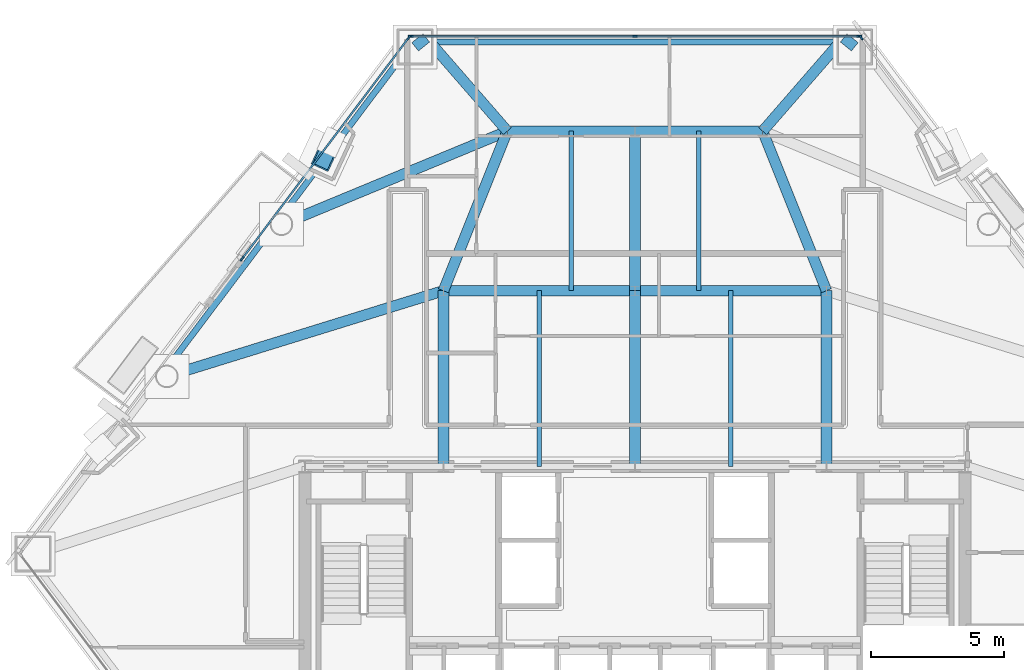
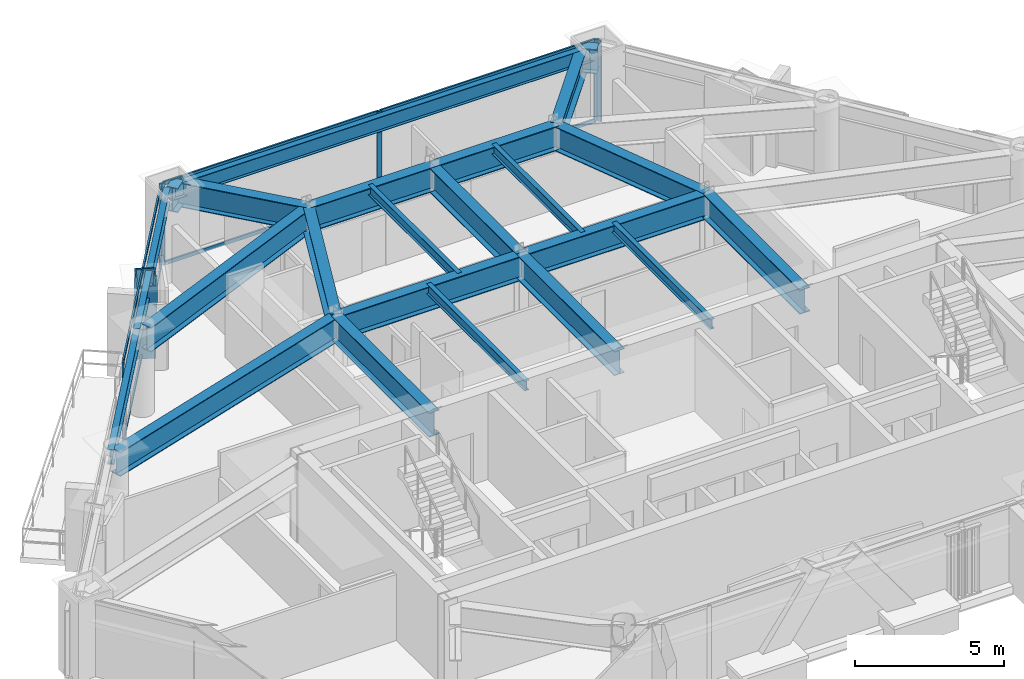
# One storey, part 3 of 11: 23 beams, 13 members, 3 elements without a shape of their own.
"""IFC4 building model written with IfcOpenShell, lengths in metres."""

from ifc_helpers import new_model, si_unit, direction, frame, origin, origin_2d, place, context, subcontext, project, spatial, rectangle, hollow_rectangle, i_section, extrude, material, layer, layer_set, material_profile, profile_set, type_object, element, aggregate, save


model = new_model("IFC4")

# Units and contexts
model_context = context("Model", 3, precision=1e-05, world=origin(), true_north=direction((0.0, 1.0)))
body_context = subcontext(model_context, "Body", "Model", "MODEL_VIEW")
ifc_project = project(units=[si_unit("LENGTHUNIT", "METRE"), si_unit("AREAUNIT", "SQUARE_METRE"), si_unit("VOLUMEUNIT", "CUBIC_METRE"), si_unit("PLANEANGLEUNIT", "RADIAN"), si_unit("MASSUNIT", "GRAM", prefix="KILO")], contexts=[model_context])

# Site, building, storey
site_placement = place(None, origin())
site = spatial("IfcSite", under=ifc_project, at=site_placement, CompositionType="ELEMENT")
building_placement = place(site_placement, origin())
building = spatial("IfcBuilding", under=site, at=building_placement, Name="Talgorran Terracotta Tower", CompositionType="ELEMENT")
storey_placement = place(building_placement, frame((0.0, 0.0, 35.10009765625)))
storey = spatial("IfcBuildingStorey", under=building, at=storey_placement, Name="L08", CompositionType="ELEMENT", Elevation=35.10009765625)

# Beams
ifc_material_1 = material(Name="Steel Grade 350 (350L0)", Category="steel")
ifc_material_profile_1 = material_profile(ifc_material_1, i_section(OverallWidth=0.39990234375, OverallDepth=1.0, WebThickness=0.01611328125, FlangeThickness=0.031005859375, at=origin_2d()), Name="1000WB296")
ifc_profile_set_1 = profile_set([ifc_material_profile_1], Name="Steel Grade 350 (350L0)")
beam_type_1 = type_object("IfcBeamType", Name="BM_1000WB296", PredefinedType="BEAM", material=ifc_profile_set_1)
beam_1_placement = place(storey_placement, frame((8.26318359375, 11.5703125, 2.849853515625), z_axis=(-0.778276150584, 0.627922155551, 0.0), x_axis=(-0.627922155551, -0.778276150584, 0.0)))
element("IfcBeam", 1, at=beam_1_placement, inside=storey, type_object=beam_type_1, Name="L08 Perimeter Step Girder 9A", PredefinedType="BEAM", context=body_context, shape_type="SweptSolid", body=[
    extrude(i_section(OverallWidth=0.39990234375, OverallDepth=1.0, WebThickness=0.01611328125, FlangeThickness=0.031005859375, at=origin_2d()), origin(), (0.0, 0.0, 1.0), 0.5341796875),
])
beam_2_placement = place(storey_placement, frame((7.847412109375, 11.90576171875, 2.849853515625), z_axis=(-0.656030362772, -0.75473449843, 0.0), x_axis=(0.75473449843, -0.656030362772, 0.0)))
element("IfcBeam", 2, at=beam_2_placement, inside=storey, type_object=beam_type_1, Name="L08 Perimeter Step Girder 9B", PredefinedType="BEAM", context=body_context, shape_type="SweptSolid", body=[
    extrude(i_section(OverallWidth=0.39990234375, OverallDepth=1.0, WebThickness=0.01611328125, FlangeThickness=0.031005859375, at=origin_2d()), origin(), (0.0, 0.0, 1.0), 4.645263671875),
])
beam_3_placement = place(storey_placement, frame((-8.26318359375, 11.5703125, 2.849853515625), z_axis=(0.778276150584, 0.627922155551, 0.0), x_axis=(-0.627922155551, 0.778276150584, 0.0)))
element("IfcBeam", 3, at=beam_3_placement, inside=storey, type_object=beam_type_1, Name="L08 Perimeter Step Girder 10A", PredefinedType="BEAM", context=body_context, shape_type="SweptSolid", body=[
    extrude(i_section(OverallWidth=0.39990234375, OverallDepth=1.0, WebThickness=0.01611328125, FlangeThickness=0.031005859375, at=origin_2d()), origin(), (0.0, 0.0, 1.0), 0.5341796875),
])
beam_4_placement = place(storey_placement, frame((-7.847412109375, 11.90576171875, 2.849853515625), z_axis=(0.656030362772, -0.75473449843, 0.0), x_axis=(0.75473449843, 0.656030362772, 0.0)))
element("IfcBeam", 4, at=beam_4_placement, inside=storey, type_object=beam_type_1, Name="L08 Perimeter Step Girder 10B", PredefinedType="BEAM", context=body_context, shape_type="SweptSolid", body=[
    extrude(i_section(OverallWidth=0.39990234375, OverallDepth=1.0, WebThickness=0.01611328125, FlangeThickness=0.031005859375, at=origin_2d()), origin(), (0.0, 0.0, 1.0), 4.645263671875),
])
for number, where, z_axis, x_axis, name in (
    (5, (-7.199951171875, -4.199951171875, 2.849853515625), (0.0, 1.0, 0.0), (-1.0, 0.0, 0.0), "L08 Floor Girder G01"),
    (6, (0.0, -4.199951171875, 2.849853515625), (0.0, 1.0, 0.0), (-1.0, 0.0, 0.0), "L08 Floor Girder G02"),
    (7, (7.199951171875, -4.199951171875, 2.849853515625), (0.0, 1.0, 0.0), (-1.0, 0.0, 0.0), "L08 Floor Girder G03"),
):
    element("IfcBeam", number, at=place(storey_placement, frame(where, z_axis=z_axis, x_axis=x_axis)), inside=storey, type_object=beam_type_1, Name=name, PredefinedType="BEAM", context=body_context, shape_type="SweptSolid", body=[
        extrude(i_section(OverallWidth=0.39990234375, OverallDepth=1.0, WebThickness=0.01611328125, FlangeThickness=0.031005859375, at=origin_2d()), origin(), (0.0, 0.0, 1.0), 6.599853515625),
    ])
for number, where, z_axis, x_axis, name in (
    (8, (-7.199951171875, 2.39990234375, 2.849853515625), (1.0, 0.0, 0.0), (0.0, 1.0, 0.0), "L08 Floor Girder G04"),
    (9, (0.0, 2.39990234375, 2.849853515625), (1.0, 0.0, 0.0), (0.0, 1.0, 0.0), "L08 Floor Girder G05"),
):
    element("IfcBeam", number, at=place(storey_placement, frame(where, z_axis=z_axis, x_axis=x_axis)), inside=storey, type_object=beam_type_1, Name=name, PredefinedType="BEAM", context=body_context, shape_type="SweptSolid", body=[
        extrude(i_section(OverallWidth=0.39990234375, OverallDepth=1.0, WebThickness=0.01611328125, FlangeThickness=0.031005859375, at=origin_2d()), origin(), (0.0, 0.0, 1.0), 7.199951171875),
    ])
beam_5_placement = place(storey_placement, frame((-7.199951171875, 2.39990234375, 2.849853515625), z_axis=(-0.955282572472, -0.295694448259, 0.0), x_axis=(0.295694448259, -0.955282572472, 0.0)))
element("IfcBeam", 10, at=beam_5_placement, inside=storey, type_object=beam_type_1, Name="L08 Floor Girder G06", PredefinedType="BEAM", context=body_context, shape_type="SweptSolid", body=[
    extrude(i_section(OverallWidth=0.39990234375, OverallDepth=1.0, WebThickness=0.01611328125, FlangeThickness=0.031005859375, at=origin_2d()), origin(), (0.0, 0.0, 1.0), 10.88623046875),
])
beam_6_placement = place(storey_placement, frame((-7.199951171875, 2.39990234375, 2.849853515625), z_axis=(0.371377648723, 0.928481901832, 0.0), x_axis=(-0.928481901832, 0.371377648723, 0.0)))
element("IfcBeam", 11, at=beam_6_placement, inside=storey, type_object=beam_type_1, Name="L08 Floor Girder G08", PredefinedType="BEAM", context=body_context, shape_type="SweptSolid", body=[
    extrude(i_section(OverallWidth=0.39990234375, OverallDepth=1.0, WebThickness=0.01611328125, FlangeThickness=0.031005859375, at=origin_2d()), origin(), (0.0, 0.0, 1.0), 6.462158203125),
])
beam_7_placement = place(storey_placement, frame((0.0, 2.39990234375, 2.849853515625), z_axis=(0.0, 1.0, 0.0), x_axis=(-1.0, 0.0, 0.0)))
element("IfcBeam", 12, at=beam_7_placement, inside=storey, type_object=beam_type_1, Name="L08 Floor Girder G09", PredefinedType="BEAM", context=body_context, shape_type="SweptSolid", body=[
    extrude(i_section(OverallWidth=0.39990234375, OverallDepth=1.0, WebThickness=0.01611328125, FlangeThickness=0.031005859375, at=origin_2d()), origin(), (0.0, 0.0, 1.0), 6.0),
])
beam_8_placement = place(storey_placement, frame((7.199951171875, 2.39990234375, 2.849853515625), z_axis=(-0.371377648723, 0.928481901832, 0.0), x_axis=(-0.928481901832, -0.371377648723, 0.0)))
element("IfcBeam", 13, at=beam_8_placement, inside=storey, type_object=beam_type_1, Name="L08 Floor Girder G10", PredefinedType="BEAM", context=body_context, shape_type="SweptSolid", body=[
    extrude(i_section(OverallWidth=0.39990234375, OverallDepth=1.0, WebThickness=0.01611328125, FlangeThickness=0.031005859375, at=origin_2d()), origin(), (0.0, 0.0, 1.0), 6.462158203125),
])
for number, where, z_axis, x_axis, name in (
    (14, (-4.800048828125, 8.39990234375, 2.849853515625), (1.0, 0.0, 0.0), (0.0, 1.0, 0.0), "L08 Floor Girder G11"),
    (15, (0.0, 8.39990234375, 2.849853515625), (1.0, 0.0, 0.0), (0.0, 1.0, 0.0), "L08 Floor Girder G12"),
):
    element("IfcBeam", number, at=place(storey_placement, frame(where, z_axis=z_axis, x_axis=x_axis)), inside=storey, type_object=beam_type_1, Name=name, PredefinedType="BEAM", context=body_context, shape_type="SweptSolid", body=[
        extrude(i_section(OverallWidth=0.39990234375, OverallDepth=1.0, WebThickness=0.01611328125, FlangeThickness=0.031005859375, at=origin_2d()), origin(), (0.0, 0.0, 1.0), 4.800048828125),
    ])
beam_9_placement = place(storey_placement, frame((-4.800048828125, 8.39990234375, 2.849853515625), z_axis=(-0.923897446569, -0.382640181141, 0.0), x_axis=(0.382640181141, -0.923897446569, 0.0)))
element("IfcBeam", 16, at=beam_9_placement, inside=storey, type_object=beam_type_1, Name="L08 Floor Girder G13", PredefinedType="BEAM", context=body_context, shape_type="SweptSolid", body=[
    extrude(i_section(OverallWidth=0.39990234375, OverallDepth=1.0, WebThickness=0.01611328125, FlangeThickness=0.031005859375, at=origin_2d()), origin(), (0.0, 0.0, 1.0), 8.947265625),
])
ifc_material_2 = material(Name="Steel S355 (300PLUS)", Category="steel")
ifc_material_profile_2 = material_profile(ifc_material_2, i_section(OverallWidth=0.177734375, OverallDepth=0.406494140625, WebThickness=0.0078125, FlangeThickness=0.0126953125, at=origin_2d()), Name="410UB59.7")
ifc_profile_set_2 = profile_set([ifc_material_profile_2], Name="Steel S355 (300PLUS)")
beam_type_2 = type_object("IfcBeamType", Name="BM_JS_410UB60", PredefinedType="JOIST", material=ifc_profile_set_2)
for number, where, z_axis, x_axis, name in (
    (17, (-3.60009765625, -4.199951171875, 3.146728515625), (0.0, 1.0, 0.0), (-1.0, 0.0, 0.0), "L08 Secondary Joist J01"),
    (18, (3.60009765625, -4.199951171875, 3.146728515625), (0.0, 1.0, 0.0), (-1.0, 0.0, 0.0), "L08 Secondary Joist J02"),
):
    element("IfcBeam", number, at=place(storey_placement, frame(where, z_axis=z_axis, x_axis=x_axis)), inside=storey, type_object=beam_type_2, Name=name, PredefinedType="JOIST", context=body_context, shape_type="SweptSolid", body=[
        extrude(i_section(OverallWidth=0.177734375, OverallDepth=0.406494140625, WebThickness=0.0078125, FlangeThickness=0.0126953125, at=origin_2d()), origin(), (0.0, 0.0, 1.0), 6.599853515625),
    ])
for number, where, z_axis, x_axis, name in (
    (19, (-2.39990234375, 2.39990234375, 3.146728515625), (0.0, 1.0, 0.0), (-1.0, 0.0, 0.0), "L08 Secondary Joist J03"),
    (20, (2.39990234375, 2.39990234375, 3.146728515625), (0.0, 1.0, 0.0), (-1.0, 0.0, 0.0), "L08 Secondary Joist J04"),
):
    element("IfcBeam", number, at=place(storey_placement, frame(where, z_axis=z_axis, x_axis=x_axis)), inside=storey, type_object=beam_type_2, Name=name, PredefinedType="JOIST", context=body_context, shape_type="SweptSolid", body=[
        extrude(i_section(OverallWidth=0.177734375, OverallDepth=0.406494140625, WebThickness=0.0078125, FlangeThickness=0.0126953125, at=origin_2d()), origin(), (0.0, 0.0, 1.0), 6.0),
    ])
ifc_material_profile_3 = material_profile(ifc_material_2, i_section(OverallWidth=0.22900390625, OverallDepth=0.611572265625, WebThickness=0.011962890625, FlangeThickness=0.01953125, at=origin_2d()), Name="610UB125")
ifc_profile_set_3 = profile_set([ifc_material_profile_3], Name="Steel S355 (300PLUS)")
beam_type_3 = type_object("IfcBeamType", Name="BM_SP_610UB125", PredefinedType="SPANDREL", material=ifc_profile_set_3)
beam_10_placement = place(storey_placement, frame((8.26318359375, 11.75048828125, 3.044189453125), z_axis=(-1.0, 0.0, 0.0), x_axis=(0.0, -1.0, 0.0)))
element("IfcBeam", 21, at=beam_10_placement, inside=storey, type_object=beam_type_3, Name="L08 Perimeter Spandrel Beam MC5-MC6", PredefinedType="SPANDREL", context=body_context, shape_type="SweptSolid", body=[
    extrude(i_section(OverallWidth=0.22900390625, OverallDepth=0.611572265625, WebThickness=0.011962890625, FlangeThickness=0.01953125, at=origin_2d()), origin(), (0.0, 0.0, 1.0), 16.5263671875),
])
beam_11_placement = place(storey_placement, frame((-8.406982421875, 11.6787109375, 3.044189453125), z_axis=(-0.601803503312, -0.798644190739, 0.0), x_axis=(0.798644190739, -0.601803503312, 0.0)))
element("IfcBeam", 22, at=beam_11_placement, inside=storey, type_object=beam_type_3, Name="L08 Perimeter Spandrel Beam MC6-FC5", PredefinedType="SPANDREL", context=body_context, shape_type="SweptSolid", body=[
    extrude(i_section(OverallWidth=0.22900390625, OverallDepth=0.611572265625, WebThickness=0.011962890625, FlangeThickness=0.01953125, at=origin_2d()), origin(), (0.0, 0.0, 1.0), 8.353271484375),
])
beam_12_placement = place(storey_placement, frame((-13.43408203125, 5.00732421875, 3.044189453125), z_axis=(-0.601837001902, -0.798618947397, 0.0), x_axis=(0.798618947397, -0.601837001902, 0.0)))
element("IfcBeam", 23, at=beam_12_placement, inside=storey, type_object=beam_type_3, Name="L08 Perimeter Spandrel Beam FC5-FC6", PredefinedType="SPANDREL", context=body_context, shape_type="SweptSolid", body=[
    extrude(i_section(OverallWidth=0.22900390625, OverallDepth=0.611572265625, WebThickness=0.011962890625, FlangeThickness=0.01953125, at=origin_2d()), origin(), (0.0, 0.0, 1.0), 7.159912109375),
])

# Member
ifc_material_profile_4 = material_profile(ifc_material_1, hollow_rectangle(XDim=0.699951171875, YDim=0.89990234375, WallThickness=0.050048828125, at=origin_2d()), Name="WBOX900X700X50")
ifc_profile_set_4 = profile_set([ifc_material_profile_4], Name="Steel Grade 350 (350L0)")
member_type_1 = type_object("IfcMemberType", Name="MB_MEGA_900", PredefinedType="BRACE", material=ifc_profile_set_4)
member_1_placement = place(storey_placement, frame((-11.413330078125, 7.988037109375, -0.025146484375), z_axis=(-0.074536179821, -0.162142685013, 0.983948224042), x_axis=(0.908595640558, -0.417676863089, 0.0)))
element("IfcMember", 24, at=member_1_placement, inside=storey, type_object=member_type_1, Name="L08 Exterior Face Mega-Brace MB-1 (NWU)", PredefinedType="BRACE", context=body_context, shape_type="SweptSolid", body=[
    extrude(hollow_rectangle(XDim=0.699951171875, YDim=0.89990234375, WallThickness=0.050048828125, at=origin_2d()), origin(), (0.0, 0.0, 1.0), 3.45556640625),
])

# Curtain wall, member
ifc_material_3 = material(Name="Unitised Low-E Double Glazing", Category="glass")
ifc_layer = layer(ifc_material_3, 0.199951171875, Name="CW_SYS2_RES_LOW")
ifc_layer_set = layer_set([ifc_layer], Name="Unitised Low-E Double Glazing")
curtain_wall_type = type_object("IfcCurtainWallType", Name="CW_SYS2_RES_LOW", PredefinedType="NOTDEFINED", material=ifc_layer_set)
curtain_wall_1_placement = place(storey_placement, origin())
curtain_wall_1 = element("IfcCurtainWall", 25, at=curtain_wall_1_placement, inside=storey, type_object=curtain_wall_type, Name="CW-L08-F41", PredefinedType="NOTDEFINED")
ifc_material_4 = material(Name="Architectural Aluminium 6063-T6", Category="aluminium")
ifc_material_profile_5 = material_profile(ifc_material_4, rectangle(XDim=0.06494140625, YDim=0.18505859375, at=origin_2d()), Name="CWM65X185")
ifc_profile_set_5 = profile_set([ifc_material_profile_5], Name="Architectural Aluminium 6063-T6")
member_type_2 = type_object("IfcMemberType", Name="MUL_65X185", PredefinedType="MULLION", material=ifc_profile_set_5)
member_2_placement = place(storey_placement, frame((8.50634765625, 11.91259765625, 0.0), z_axis=(0.0, 0.0, 1.0), x_axis=(-0.798639090519, -0.601810271677, 0.0)))
member_2 = element("IfcMember", 26, at=member_2_placement, type_object=member_type_2, Name="CW-L08-41 mullion 2", PredefinedType="MULLION", context=body_context, shape_type="SweptSolid", body=[
    extrude(rectangle(XDim=0.06494140625, YDim=0.18505859375, at=origin_2d()), origin(), (0.0, 0.0, 1.0), 3.349853515625),
])
aggregate(curtain_wall_1, [member_2])

# Curtain wall, members
curtain_wall_2_placement = place(storey_placement, origin())
curtain_wall_2 = element("IfcCurtainWall", 27, at=curtain_wall_2_placement, inside=storey, type_object=curtain_wall_type, Name="CW-L08-F4", PredefinedType="NOTDEFINED")
member_3_placement = place(storey_placement, frame((8.43017578125, 11.970458984375, 0.0), z_axis=(0.0, 0.0, 1.0), x_axis=(0.0, -1.0, 0.0)))
member_3 = element("IfcMember", 28, at=member_3_placement, type_object=member_type_2, Name="CW-L08-4 mullion 1", PredefinedType="MULLION", context=body_context, shape_type="SweptSolid", body=[
    extrude(rectangle(XDim=0.06494140625, YDim=0.18505859375, at=origin_2d()), origin(), (0.0, 0.0, 1.0), 3.349853515625),
])
member_4_placement = place(storey_placement, frame((0.0, 11.970458984375, 0.0), z_axis=(0.0, 0.0, 1.0), x_axis=(0.0, -1.0, 0.0)))
member_4 = element("IfcMember", 29, at=member_4_placement, type_object=member_type_2, Name="CW-L08-4 mullion 2", PredefinedType="MULLION", context=body_context, shape_type="SweptSolid", body=[
    extrude(rectangle(XDim=0.06494140625, YDim=0.18505859375, at=origin_2d()), origin(), (0.0, 0.0, 1.0), 3.349853515625),
])
member_5_placement = place(storey_placement, frame((-8.43017578125, 11.970458984375, 0.0), z_axis=(0.0, 0.0, 1.0), x_axis=(0.0, -1.0, 0.0)))
member_5 = element("IfcMember", 30, at=member_5_placement, type_object=member_type_2, Name="CW-L08-4 mullion 3", PredefinedType="MULLION", context=body_context, shape_type="SweptSolid", body=[
    extrude(rectangle(XDim=0.06494140625, YDim=0.18505859375, at=origin_2d()), origin(), (0.0, 0.0, 1.0), 3.349853515625),
])

curtain_wall_3_placement = place(storey_placement, origin())
curtain_wall_3 = element("IfcCurtainWall", 31, at=curtain_wall_3_placement, inside=storey, type_object=curtain_wall_type, Name="CW-L08-F60", PredefinedType="NOTDEFINED")
member_6_placement = place(storey_placement, frame((-8.50634765625, 11.91259765625, 0.0), z_axis=(0.0, 0.0, 1.0), x_axis=(0.798641074597, -0.601807638674, 0.0)))
member_6 = element("IfcMember", 32, at=member_6_placement, type_object=member_type_2, Name="CW-L08-60 mullion 1", PredefinedType="MULLION", context=body_context, shape_type="SweptSolid", body=[
    extrude(rectangle(XDim=0.06494140625, YDim=0.18505859375, at=origin_2d()), origin(), (0.0, 0.0, 1.0), 3.349853515625),
])
member_7_placement = place(storey_placement, frame((-14.77392578125, 3.5947265625, 0.0), z_axis=(0.0, 0.0, 1.0), x_axis=(0.798641074597, -0.601807638674, 0.0)))
member_7 = element("IfcMember", 33, at=member_7_placement, type_object=member_type_2, Name="CW-L08-60 mullion 2", PredefinedType="MULLION", context=body_context, shape_type="SweptSolid", body=[
    extrude(rectangle(XDim=0.06494140625, YDim=0.18505859375, at=origin_2d()), origin(), (0.0, 0.0, 1.0), 3.349853515625),
])

# Member
ifc_material_profile_6 = material_profile(ifc_material_4, rectangle(XDim=0.06494140625, YDim=0.14990234375, at=origin_2d()), Name="CWT65X150")
ifc_profile_set_6 = profile_set([ifc_material_profile_6], Name="Architectural Aluminium 6063-T6")
member_type_3 = type_object("IfcMemberType", Name="TRN_65X150", PredefinedType="USERDEFINED", material=ifc_profile_set_6)
member_8_placement = place(storey_placement, frame((8.397705078125, 11.970458984375, 0.032470703125), z_axis=(-1.0, 0.0, 0.0), x_axis=(0.0, -1.0, 0.0)))
member_8 = element("IfcMember", 34, at=member_8_placement, type_object=member_type_3, Name="CW-L08-4 transom 1.1", ObjectType="TRANSOM", PredefinedType="USERDEFINED", context=body_context, shape_type="SweptSolid", body=[
    extrude(rectangle(XDim=0.06494140625, YDim=0.14990234375, at=origin_2d()), origin(), (0.0, 0.0, 1.0), 8.365234375),
])

member_9_placement = place(storey_placement, frame((8.397705078125, 11.970458984375, 3.3173828125), z_axis=(-1.0, 0.0, 0.0), x_axis=(0.0, -1.0, 0.0)))
member_9 = element("IfcMember", 35, at=member_9_placement, type_object=member_type_3, Name="CW-L08-4 transom 1.2", ObjectType="TRANSOM", PredefinedType="USERDEFINED", context=body_context, shape_type="SweptSolid", body=[
    extrude(rectangle(XDim=0.06494140625, YDim=0.14990234375, at=origin_2d()), origin(), (0.0, 0.0, 1.0), 8.365234375),
])

member_10_placement = place(storey_placement, frame((-0.032470703125, 11.970458984375, 0.032470703125), z_axis=(-1.0, 0.0, 0.0), x_axis=(0.0, -1.0, 0.0)))
member_10 = element("IfcMember", 36, at=member_10_placement, type_object=member_type_3, Name="CW-L08-4 transom 2.1", ObjectType="TRANSOM", PredefinedType="USERDEFINED", context=body_context, shape_type="SweptSolid", body=[
    extrude(rectangle(XDim=0.06494140625, YDim=0.14990234375, at=origin_2d()), origin(), (0.0, 0.0, 1.0), 8.365234375),
])

member_11_placement = place(storey_placement, frame((-0.032470703125, 11.970458984375, 3.3173828125), z_axis=(-1.0, 0.0, 0.0), x_axis=(0.0, -1.0, 0.0)))
member_11 = element("IfcMember", 37, at=member_11_placement, type_object=member_type_3, Name="CW-L08-4 transom 2.2", ObjectType="TRANSOM", PredefinedType="USERDEFINED", context=body_context, shape_type="SweptSolid", body=[
    extrude(rectangle(XDim=0.06494140625, YDim=0.14990234375, at=origin_2d()), origin(), (0.0, 0.0, 1.0), 8.365234375),
])

aggregate(curtain_wall_2, [member_3, member_4, member_5, member_8, member_9, member_10, member_11])

member_12_placement = place(storey_placement, frame((-8.52587890625, 11.886474609375, 0.032470703125), z_axis=(-0.601798781894, -0.798647748454, 0.0), x_axis=(0.798647748454, -0.601798781894, 0.0)))
member_12 = element("IfcMember", 38, at=member_12_placement, type_object=member_type_3, Name="CW-L08-60 transom 1.1", ObjectType="TRANSOM", PredefinedType="USERDEFINED", context=body_context, shape_type="SweptSolid", body=[
    extrude(rectangle(XDim=0.06494140625, YDim=0.14990234375, at=origin_2d()), origin(), (0.0, 0.0, 1.0), 10.349853515625),
])

member_13_placement = place(storey_placement, frame((-8.52587890625, 11.886474609375, 3.3173828125), z_axis=(-0.601798781894, -0.798647748454, 0.0), x_axis=(0.798647748454, -0.601798781894, 0.0)))
member_13 = element("IfcMember", 39, at=member_13_placement, type_object=member_type_3, Name="CW-L08-60 transom 1.2", ObjectType="TRANSOM", PredefinedType="USERDEFINED", context=body_context, shape_type="SweptSolid", body=[
    extrude(rectangle(XDim=0.06494140625, YDim=0.14990234375, at=origin_2d()), origin(), (0.0, 0.0, 1.0), 10.349853515625),
])

aggregate(curtain_wall_3, [member_6, member_7, member_12, member_13])

save(model, "model.ifc")
